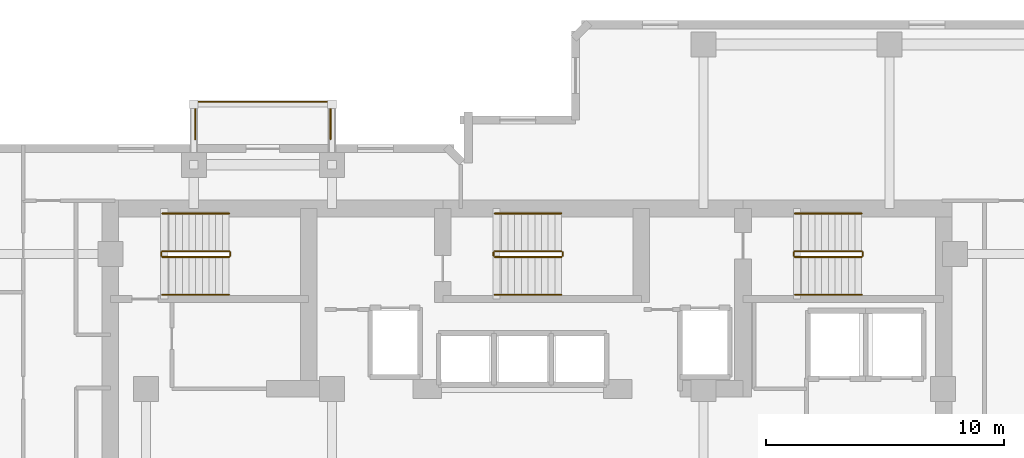
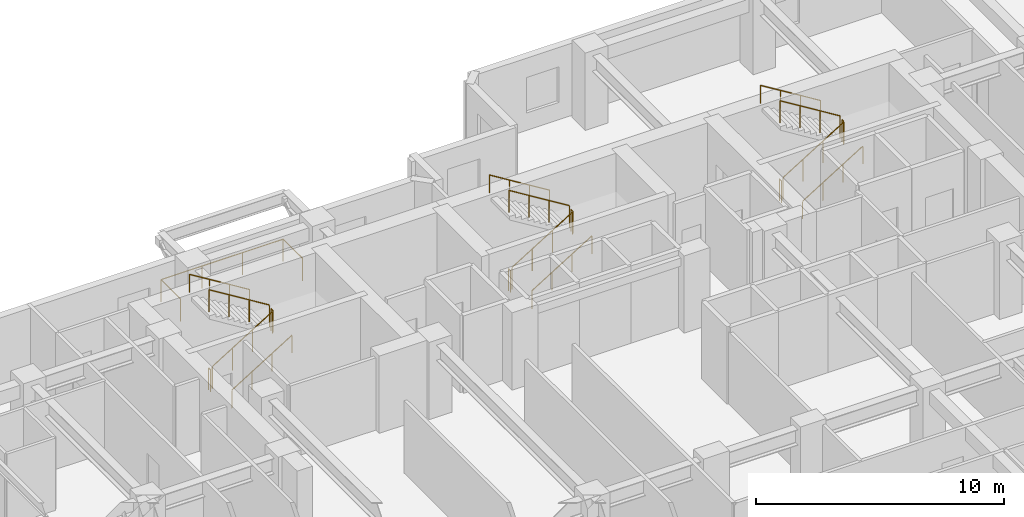
# One storey, part 10 of 10: 19 railings.
"""IFC4 building model written with IfcOpenShell, lengths in metres."""

import ifcopenshell
import ifcopenshell.guid

model = None  # the IFC model being written
_history = None  # IfcOwnerHistory: only IFC2X3 demands one
_inside = {}  # id of a spatial element -> (the spatial element, [elements in it])
_under = {}  # id of a project, library or spatial element -> (it, [spatial elements below it])
_declared = {}  # id of a project -> (the project, [libraries it declares])
_typed = {}  # id of a type object -> (the type object, [elements of that type])
_made_of = {}  # id of a material, layer set ... -> (it, [elements and type objects made of it])


def new_model(schema):
    """Start an empty IFC model of exactly this schema.

    Asked for "IFC4X3", IfcOpenShell would pick the latest addendum, in which some entities
    have other attributes; the version numbers below select the first issue.
    IFC2X3 requires an IfcOwnerHistory on every rooted entity: one is made here for all.
    """
    global model, _history
    if schema == "IFC4X3":
        model = ifcopenshell.file(schema_version=(4, 3, 0, 0))
    else:
        model = ifcopenshell.file(schema=schema)
    _inside.clear()
    _under.clear()
    _declared.clear()
    _typed.clear()
    _made_of.clear()
    _history = None
    if model.schema == "IFC2X3":
        org = make("IfcOrganization", Name="unknown")
        user = make(
            "IfcPersonAndOrganization",
            ThePerson=make("IfcPerson", FamilyName="unknown"),
            TheOrganization=org,
        )
        app = make(
            "IfcApplication",
            ApplicationDeveloper=org,
            Version="unknown",
            ApplicationFullName="unknown",
            ApplicationIdentifier="unknown",
        )
        _history = make(
            "IfcOwnerHistory",
            OwningUser=user,
            OwningApplication=app,
            ChangeAction="ADDED",
            CreationDate=0,
        )
    return model


def make(cls, **values):
    """One entity of the class cls with the attributes given. An attribute that is None is left unset."""
    return model.create_entity(
        cls, **{name: value for name, value in values.items() if value is not None}
    )


def rooted(cls, **values):
    """An entity with a GlobalId (a new one), such as an element, a storey or a relation."""
    return make(cls, GlobalId=ifcopenshell.guid.new(), OwnerHistory=_history, **values)


def si_unit(unit_type, name, prefix=None):
    """IfcSIUnit, for example si_unit("LENGTHUNIT", "METRE", prefix="MILLI")."""
    return make("IfcSIUnit", UnitType=unit_type, Prefix=prefix, Name=name)


def assignment(units):
    """IfcUnitAssignment: the units of a project."""
    return None if units is None else make("IfcUnitAssignment", Units=units)


def point(xyz):
    """IfcCartesianPoint."""
    return None if xyz is None else make("IfcCartesianPoint", Coordinates=xyz)


def direction(xyz):
    """IfcDirection."""
    return None if xyz is None else make("IfcDirection", DirectionRatios=xyz)


def frame(location, z_axis=None, x_axis=None):
    """IfcAxis2Placement3D, a coordinate frame: its origin and axes. An axis left out is left unset."""
    return make(
        "IfcAxis2Placement3D",
        Location=point(location),
        Axis=direction(z_axis),
        RefDirection=direction(x_axis),
    )


def frame_2d(location, x_axis=None):
    """IfcAxis2Placement2D, a coordinate frame in the plane: its origin and x axis."""
    return make(
        "IfcAxis2Placement2D", Location=point(location), RefDirection=direction(x_axis)
    )


def origin():
    """The frame at (0, 0, 0) with its axes left unset."""
    return frame((0.0, 0.0, 0.0))


def origin_2d():
    """The frame at (0, 0) in the plane with its x axis left unset."""
    return frame_2d((0.0, 0.0))


def place(relative_to, where):
    """IfcLocalPlacement: puts the frame where relative to a parent placement (None: the world)."""
    return make(
        "IfcLocalPlacement", PlacementRelTo=relative_to, RelativePlacement=where
    )


def context(
    kind, dimensions, precision=None, world=None, true_north=None, identifier=None
):
    """IfcGeometricRepresentationContext, for example the 3D "Model" context."""
    return make(
        "IfcGeometricRepresentationContext",
        ContextIdentifier=identifier,
        ContextType=kind,
        CoordinateSpaceDimension=dimensions,
        Precision=precision,
        WorldCoordinateSystem=world,
        TrueNorth=true_north,
    )


def subcontext(parent, identifier, kind, view, scale=None):
    """IfcGeometricRepresentationSubContext, for example "Body" below "Model"."""
    return make(
        "IfcGeometricRepresentationSubContext",
        ContextIdentifier=identifier,
        ContextType=kind,
        ParentContext=parent,
        TargetScale=scale,
        TargetView=view,
    )


def project(units=None, contexts=None):
    """IfcProject with its units and contexts."""
    return rooted(
        "IfcProject",
        Name="project",
        RepresentationContexts=contexts,
        UnitsInContext=assignment(units),
    )


def spatial(cls, under=None, at=None, **own):
    """A site, building, storey or space (cls), placed at a placement, below another one or the project."""
    s = rooted(cls, ObjectPlacement=at, **own)
    if under is not None:
        _under.setdefault(under.id(), (under, []))[1].append(s)
    return s


def profile(cls, at=None, kind="AREA", **sizes):
    """A parametric profile (cls). Its sizes go by their IFC names, for example OverallWidth=200.0."""
    return make(cls, ProfileType=kind, Position=at, **sizes)


def circle(**sizes):
    """IfcCircleProfileDef."""
    return profile("IfcCircleProfileDef", **sizes)


def extrude(swept, where, along, depth):
    """IfcExtrudedAreaSolid: the profile swept, set in the frame where, extruded along a direction by depth."""
    return make(
        "IfcExtrudedAreaSolid",
        SweptArea=swept,
        Position=where,
        ExtrudedDirection=direction(along),
        Depth=depth,
    )


def shape(context_of_items, identifier, shape_type, items):
    """IfcShapeRepresentation: the items that make up one representation, for example the "Body"."""
    return make(
        "IfcShapeRepresentation",
        ContextOfItems=context_of_items,
        RepresentationIdentifier=identifier,
        RepresentationType=shape_type,
        Items=items,
    )


def material(Name=None, Category=None):
    """IfcMaterial."""
    return make("IfcMaterial", Name=Name, Category=Category)


def made_of(thing, what):
    """Note that an element or type object is made of a material, layer set ...; save() writes the relation."""
    if what is not None:
        _made_of.setdefault(what.id(), (what, []))[1].append(thing)
    return thing


def type_object(cls, material=None, **own):
    """A type object (cls), such as IfcWallType, which elements share."""
    return made_of(rooted(cls, **own), material)


def element(
    cls,
    number,
    at=None,
    inside=None,
    cuts=None,
    type_object=None,
    material=None,
    context=None,
    identifier="Body",
    shape_type=None,
    held_by="IfcProductDefinitionShape",
    body=None,
    shapes=None,
    **own,
):
    """One element of the class cls, such as IfcWall. Its Tag is "e" and its number.

    at: its placement. inside: the storey or other place that contains it. cuts: it is an
    opening in that element (IfcRelVoidsElement). A single representation is given by context,
    identifier, shape_type and body (its items); several are given by shapes. held_by: the class
    of the entity that holds the representations. save() writes the other relations.
    """
    e = rooted(cls, Tag="e%d" % number, ObjectPlacement=at, **own)
    if body is not None:
        shapes = [shape(context, identifier, shape_type, body)]
    if shapes is not None:
        e.Representation = make(held_by, Representations=shapes)
    if inside is not None:
        _inside.setdefault(inside.id(), (inside, []))[1].append(e)
    if cuts is not None:
        rooted(
            "IfcRelVoidsElement", RelatingBuildingElement=cuts, RelatedOpeningElement=e
        )
    if type_object is not None:
        _typed.setdefault(type_object.id(), (type_object, []))[1].append(e)
    return made_of(e, material)


def aggregate(whole, parts):
    """IfcRelAggregates: a whole, such as a stair, and the parts it consists of."""
    return rooted("IfcRelAggregates", RelatingObject=whole, RelatedObjects=parts)


def save(model, path):
    """Write the relations noted so far, then the file.

    IfcRelAggregates (storeys below a building ...), IfcRelContainedInSpatialStructure (elements
    in a storey), IfcRelDefinesByType, IfcRelAssociatesMaterial and IfcRelDeclares: one each for
    every whole, place, type object, material and project.
    """
    for whole, parts in _under.values():
        aggregate(whole, parts)
    for where, things in _inside.values():
        rooted(
            "IfcRelContainedInSpatialStructure",
            RelatedElements=things,
            RelatingStructure=where,
        )
    for kind, things in _typed.values():
        rooted("IfcRelDefinesByType", RelatedObjects=things, RelatingType=kind)
    for what, things in _made_of.values():
        rooted("IfcRelAssociatesMaterial", RelatedObjects=things, RelatingMaterial=what)
    for by, libraries in _declared.values():
        rooted("IfcRelDeclares", RelatingContext=by, RelatedDefinitions=libraries)
    model.write(path)


model = new_model("IFC4")

# Units and contexts
model_context = context("Model", 3, precision=1e-05, world=origin(), true_north=direction((0.0, 1.0)))
body_context = subcontext(model_context, "Body", "Model", "MODEL_VIEW")
ifc_project = project(units=[si_unit("LENGTHUNIT", "METRE"), si_unit("AREAUNIT", "SQUARE_METRE"), si_unit("VOLUMEUNIT", "CUBIC_METRE"), si_unit("PLANEANGLEUNIT", "RADIAN"), si_unit("MASSUNIT", "GRAM", prefix="KILO")], contexts=[model_context])

# Site, building, storey
site_placement = place(None, origin())
site = spatial("IfcSite", under=ifc_project, at=site_placement, CompositionType="ELEMENT")
building_placement = place(site_placement, origin())
building = spatial("IfcBuilding", under=site, at=building_placement, Name="Kestravale Grand Hotel", CompositionType="ELEMENT")
storey_placement = place(building_placement, frame((0.0, 0.0, 142.199951171875)))
storey = spatial("IfcBuildingStorey", under=building, at=storey_placement, Name="L35", CompositionType="ELEMENT", Elevation=142.199951171875)

# Railings
ifc_material_1 = material(Name="Champagne-bronze stainless steel and laminated glass guard", Category="steel")
railing_type_1 = type_object("IfcRailingType", Name="RL-EXT-1100", PredefinedType="GUARDRAIL", material=ifc_material_1)
railing_1_placement = place(storey_placement, frame((25.4599609375, 43.219970703125, 0.0)))
element("IfcRailing", 1, at=railing_1_placement, inside=storey, type_object=railing_type_1, Name="L35 outdoor terrace guard 1", PredefinedType="GUARDRAIL", context=body_context, shape_type="SweptSolid", body=[
    extrude(circle(Radius=0.02392578125, at=origin_2d()), frame((0.0, 0.0, 1.09619140625), z_axis=(0.0, 1.0, 0.0), x_axis=(-1.0, 0.0, 0.0)), (0.0, 0.0, 1.0), 1.570068359375),
    extrude(circle(Radius=0.02392578125, at=origin_2d()), frame((0.0, 1.570068359375, 1.09619140625), z_axis=(1.0, 0.0, 0.0), x_axis=(0.0, 1.0, 0.0)), (0.0, 0.0, 1.0), 5.679931640625),
    extrude(circle(Radius=0.02392578125, at=origin_2d()), frame((5.679931640625, 1.570068359375, 1.09619140625), z_axis=(0.0, -1.0, 0.0), x_axis=(1.0, 0.0, 0.0)), (0.0, 0.0, 1.0), 1.570068359375),
    extrude(circle(Radius=0.02099609375, at=origin_2d()), origin(), (0.0, 0.0, 1.0), 1.072021484375),
    extrude(circle(Radius=0.02099609375, at=origin_2d()), frame((0.0, 1.570068359375, 0.0)), (0.0, 0.0, 1.0), 1.072021484375),
    extrude(circle(Radius=0.02099609375, at=origin_2d()), frame((1.893310546875, 1.570068359375, 0.0)), (0.0, 0.0, 1.0), 1.072021484375),
    extrude(circle(Radius=0.02099609375, at=origin_2d()), frame((3.78662109375, 1.570068359375, 0.0)), (0.0, 0.0, 1.0), 1.072021484375),
    extrude(circle(Radius=0.02099609375, at=origin_2d()), frame((5.679931640625, 1.570068359375, 0.0)), (0.0, 0.0, 1.0), 1.072021484375),
    extrude(circle(Radius=0.02099609375, at=origin_2d()), frame((5.679931640625, 0.0, 0.0)), (0.0, 0.0, 1.0), 1.072021484375),
])
ifc_material_2 = material(Name="Painted tubular steel stair well guard", Category="steel")
railing_type_2 = type_object("IfcRailingType", Name="RL-ST-GRD1100", PredefinedType="GUARDRAIL", material=ifc_material_2)
railing_2_placement = place(storey_placement, frame((24.080078125, 38.280029296875, 0.1728515625)))
element("IfcRailing", 2, at=railing_2_placement, inside=storey, type_object=railing_type_2, Name="L35 ST-1 stair guard 1", PredefinedType="GUARDRAIL", context=body_context, shape_type="SweptSolid", body=[
    extrude(circle(Radius=0.02392578125, at=origin_2d()), frame((0.0, 0.0, 1.076171875), z_axis=(0.851069175582, 0.0, 0.525053576669), x_axis=(0.0, 1.0, 0.0)), (0.0, 0.0, 1.0), 3.289794921875),
    extrude(circle(Radius=0.02099609375, at=origin_2d()), origin(), (0.0, 0.0, 1.0), 1.052001953125),
    extrude(circle(Radius=0.02099609375, at=origin_2d()), frame((0.933349609375, 0.0, 0.57568359375)), (0.0, 0.0, 1.0), 1.052001953125),
    extrude(circle(Radius=0.02099609375, at=origin_2d()), frame((1.866455078125, 0.0, 1.151611328125)), (0.0, 0.0, 1.0), 1.052001953125),
    extrude(circle(Radius=0.02099609375, at=origin_2d()), frame((2.7998046875, 0.0, 1.727294921875)), (0.0, 0.0, 1.0), 1.052001953125),
])
railing_3_placement = place(storey_placement, frame((26.929931640625, 38.330078125, 1.900146484375)))
element("IfcRailing", 3, at=railing_3_placement, inside=storey, type_object=railing_type_2, Name="L35 ST-1 stair guard 2", PredefinedType="GUARDRAIL", context=body_context, shape_type="SweptSolid", body=[
    extrude(circle(Radius=0.02392578125, at=origin_2d()), frame((0.0, 0.0, 1.076171875), z_axis=(0.0, 1.0, 0.0), x_axis=(-1.0, 0.0, 0.0)), (0.0, 0.0, 1.0), 0.14990234375),
    extrude(circle(Radius=0.02099609375, at=origin_2d()), origin(), (0.0, 0.0, 1.0), 1.052001953125),
    extrude(circle(Radius=0.02099609375, at=origin_2d()), frame((0.0, 0.14990234375, 0.0)), (0.0, 0.0, 1.0), 1.052001953125),
])
railing_4_placement = place(storey_placement, frame((26.8798828125, 38.530029296875, 2.07275390625)))
element("IfcRailing", 4, at=railing_4_placement, inside=storey, type_object=railing_type_2, Name="L35 ST-1 stair guard 3", PredefinedType="GUARDRAIL", context=body_context, shape_type="SweptSolid", body=[
    extrude(circle(Radius=0.02392578125, at=origin_2d()), frame((0.0, 0.0, 1.076171875), z_axis=(-0.851069175582, 0.0, 0.525053576669), x_axis=(0.0, -1.0, 0.0)), (0.0, 0.0, 1.0), 3.289794921875),
    extrude(circle(Radius=0.02099609375, at=origin_2d()), origin(), (0.0, 0.0, 1.0), 1.052001953125),
    extrude(circle(Radius=0.02099609375, at=origin_2d()), frame((-0.933349609375, 0.0, 0.57568359375)), (0.0, 0.0, 1.0), 1.052001953125),
    extrude(circle(Radius=0.02099609375, at=origin_2d()), frame((-1.866455078125, 0.0, 1.151611328125)), (0.0, 0.0, 1.0), 1.052001953125),
    extrude(circle(Radius=0.02099609375, at=origin_2d()), frame((-2.7998046875, 0.0, 1.727294921875)), (0.0, 0.0, 1.0), 1.052001953125),
])
railing_5_placement = place(storey_placement, frame((24.030029296875, 38.330078125, 0.0)))
element("IfcRailing", 5, at=railing_5_placement, inside=storey, type_object=railing_type_2, Name="L35 ST-1 stair guard 4", PredefinedType="GUARDRAIL", context=body_context, shape_type="SweptSolid", body=[
    extrude(circle(Radius=0.02392578125, at=origin_2d()), frame((0.0, 0.0, 1.076171875), z_axis=(0.0, 1.0, 0.0), x_axis=(-1.0, 0.0, 0.0)), (0.0, 0.0, 1.0), 0.14990234375),
    extrude(circle(Radius=0.02099609375, at=origin_2d()), origin(), (0.0, 0.0, 1.0), 1.052001953125),
    extrude(circle(Radius=0.02099609375, at=origin_2d()), frame((0.0, 0.14990234375, 0.0)), (0.0, 0.0, 1.0), 1.052001953125),
])
railing_6_placement = place(storey_placement, frame((38.030029296875, 38.280029296875, 0.1728515625)))
element("IfcRailing", 6, at=railing_6_placement, inside=storey, type_object=railing_type_2, Name="L35 ST-2 stair guard 1", PredefinedType="GUARDRAIL", context=body_context, shape_type="SweptSolid", body=[
    extrude(circle(Radius=0.02392578125, at=origin_2d()), frame((0.0, 0.0, 1.076171875), z_axis=(0.851089632645, 0.0, 0.525020415988), x_axis=(0.0, 1.0, 0.0)), (0.0, 0.0, 1.0), 3.2900390625),
    extrude(circle(Radius=0.02099609375, at=origin_2d()), origin(), (0.0, 0.0, 1.0), 1.052001953125),
    extrude(circle(Radius=0.02099609375, at=origin_2d()), frame((0.933349609375, 0.0, 0.57568359375)), (0.0, 0.0, 1.0), 1.052001953125),
    extrude(circle(Radius=0.02099609375, at=origin_2d()), frame((1.86669921875, 0.0, 1.151611328125)), (0.0, 0.0, 1.0), 1.052001953125),
    extrude(circle(Radius=0.02099609375, at=origin_2d()), frame((2.800048828125, 0.0, 1.727294921875)), (0.0, 0.0, 1.0), 1.052001953125),
])
railing_7_placement = place(storey_placement, frame((40.8798828125, 38.330078125, 1.900146484375)))
element("IfcRailing", 7, at=railing_7_placement, inside=storey, type_object=railing_type_2, Name="L35 ST-2 stair guard 2", PredefinedType="GUARDRAIL", context=body_context, shape_type="SweptSolid", body=[
    extrude(circle(Radius=0.02392578125, at=origin_2d()), frame((0.0, 0.0, 1.076171875), z_axis=(0.0, 1.0, 0.0), x_axis=(-1.0, 0.0, 0.0)), (0.0, 0.0, 1.0), 0.14990234375),
    extrude(circle(Radius=0.02099609375, at=origin_2d()), origin(), (0.0, 0.0, 1.0), 1.052001953125),
    extrude(circle(Radius=0.02099609375, at=origin_2d()), frame((0.0, 0.14990234375, 0.0)), (0.0, 0.0, 1.0), 1.052001953125),
])
railing_8_placement = place(storey_placement, frame((40.830078125, 38.530029296875, 2.07275390625)))
element("IfcRailing", 8, at=railing_8_placement, inside=storey, type_object=railing_type_2, Name="L35 ST-2 stair guard 3", PredefinedType="GUARDRAIL", context=body_context, shape_type="SweptSolid", body=[
    extrude(circle(Radius=0.02392578125, at=origin_2d()), frame((0.0, 0.0, 1.076171875), z_axis=(-0.851089632645, 0.0, 0.525020415988), x_axis=(0.0, -1.0, 0.0)), (0.0, 0.0, 1.0), 3.2900390625),
    extrude(circle(Radius=0.02099609375, at=origin_2d()), origin(), (0.0, 0.0, 1.0), 1.052001953125),
    extrude(circle(Radius=0.02099609375, at=origin_2d()), frame((-0.933349609375, 0.0, 0.57568359375)), (0.0, 0.0, 1.0), 1.052001953125),
    extrude(circle(Radius=0.02099609375, at=origin_2d()), frame((-1.86669921875, 0.0, 1.151611328125)), (0.0, 0.0, 1.0), 1.052001953125),
    extrude(circle(Radius=0.02099609375, at=origin_2d()), frame((-2.800048828125, 0.0, 1.727294921875)), (0.0, 0.0, 1.0), 1.052001953125),
])
railing_9_placement = place(storey_placement, frame((37.97998046875, 38.330078125, 0.0)))
element("IfcRailing", 9, at=railing_9_placement, inside=storey, type_object=railing_type_2, Name="L35 ST-2 stair guard 4", PredefinedType="GUARDRAIL", context=body_context, shape_type="SweptSolid", body=[
    extrude(circle(Radius=0.02392578125, at=origin_2d()), frame((0.0, 0.0, 1.076171875), z_axis=(0.0, 1.0, 0.0), x_axis=(-1.0, 0.0, 0.0)), (0.0, 0.0, 1.0), 0.14990234375),
    extrude(circle(Radius=0.02099609375, at=origin_2d()), origin(), (0.0, 0.0, 1.0), 1.052001953125),
    extrude(circle(Radius=0.02099609375, at=origin_2d()), frame((0.0, 0.14990234375, 0.0)), (0.0, 0.0, 1.0), 1.052001953125),
])
railing_10_placement = place(storey_placement, frame((50.6298828125, 38.280029296875, 0.1728515625)))
element("IfcRailing", 10, at=railing_10_placement, inside=storey, type_object=railing_type_2, Name="L35 ST-3 stair guard 1", PredefinedType="GUARDRAIL", context=body_context, shape_type="SweptSolid", body=[
    extrude(circle(Radius=0.02392578125, at=origin_2d()), frame((0.0, 0.0, 1.076171875), z_axis=(0.851089632645, 0.0, 0.525020415988), x_axis=(0.0, 1.0, 0.0)), (0.0, 0.0, 1.0), 3.2900390625),
    extrude(circle(Radius=0.02099609375, at=origin_2d()), origin(), (0.0, 0.0, 1.0), 1.052001953125),
    extrude(circle(Radius=0.02099609375, at=origin_2d()), frame((0.933349609375, 0.0, 0.57568359375)), (0.0, 0.0, 1.0), 1.052001953125),
    extrude(circle(Radius=0.02099609375, at=origin_2d()), frame((1.86669921875, 0.0, 1.151611328125)), (0.0, 0.0, 1.0), 1.052001953125),
    extrude(circle(Radius=0.02099609375, at=origin_2d()), frame((2.800048828125, 0.0, 1.727294921875)), (0.0, 0.0, 1.0), 1.052001953125),
])
railing_11_placement = place(storey_placement, frame((53.47998046875, 38.330078125, 1.900146484375)))
element("IfcRailing", 11, at=railing_11_placement, inside=storey, type_object=railing_type_2, Name="L35 ST-3 stair guard 2", PredefinedType="GUARDRAIL", context=body_context, shape_type="SweptSolid", body=[
    extrude(circle(Radius=0.02392578125, at=origin_2d()), frame((0.0, 0.0, 1.076171875), z_axis=(0.0, 1.0, 0.0), x_axis=(-1.0, 0.0, 0.0)), (0.0, 0.0, 1.0), 0.14990234375),
    extrude(circle(Radius=0.02099609375, at=origin_2d()), origin(), (0.0, 0.0, 1.0), 1.052001953125),
    extrude(circle(Radius=0.02099609375, at=origin_2d()), frame((0.0, 0.14990234375, 0.0)), (0.0, 0.0, 1.0), 1.052001953125),
])
railing_12_placement = place(storey_placement, frame((53.429931640625, 38.530029296875, 2.07275390625)))
element("IfcRailing", 12, at=railing_12_placement, inside=storey, type_object=railing_type_2, Name="L35 ST-3 stair guard 3", PredefinedType="GUARDRAIL", context=body_context, shape_type="SweptSolid", body=[
    extrude(circle(Radius=0.02392578125, at=origin_2d()), frame((0.0, 0.0, 1.076171875), z_axis=(-0.851089632645, 0.0, 0.525020415988), x_axis=(0.0, -1.0, 0.0)), (0.0, 0.0, 1.0), 3.2900390625),
    extrude(circle(Radius=0.02099609375, at=origin_2d()), origin(), (0.0, 0.0, 1.0), 1.052001953125),
    extrude(circle(Radius=0.02099609375, at=origin_2d()), frame((-0.933349609375, 0.0, 0.57568359375)), (0.0, 0.0, 1.0), 1.052001953125),
    extrude(circle(Radius=0.02099609375, at=origin_2d()), frame((-1.86669921875, 0.0, 1.151611328125)), (0.0, 0.0, 1.0), 1.052001953125),
    extrude(circle(Radius=0.02099609375, at=origin_2d()), frame((-2.800048828125, 0.0, 1.727294921875)), (0.0, 0.0, 1.0), 1.052001953125),
])
railing_13_placement = place(storey_placement, frame((50.580078125, 38.330078125, 0.0)))
element("IfcRailing", 13, at=railing_13_placement, inside=storey, type_object=railing_type_2, Name="L35 ST-3 stair guard 4", PredefinedType="GUARDRAIL", context=body_context, shape_type="SweptSolid", body=[
    extrude(circle(Radius=0.02392578125, at=origin_2d()), frame((0.0, 0.0, 1.076171875), z_axis=(0.0, 1.0, 0.0), x_axis=(-1.0, 0.0, 0.0)), (0.0, 0.0, 1.0), 0.14990234375),
    extrude(circle(Radius=0.02099609375, at=origin_2d()), origin(), (0.0, 0.0, 1.0), 1.052001953125),
    extrude(circle(Radius=0.02099609375, at=origin_2d()), frame((0.0, 0.14990234375, 0.0)), (0.0, 0.0, 1.0), 1.052001953125),
])
ifc_material_3 = material(Name="Brushed stainless steel wall handrail", Category="steel")
railing_type_3 = type_object("IfcRailingType", Name="RL-ST-HND900", PredefinedType="HANDRAIL", material=ifc_material_3)
railing_14_placement = place(storey_placement, frame((24.080078125, 36.699951171875, 0.1728515625)))
element("IfcRailing", 14, at=railing_14_placement, inside=storey, type_object=railing_type_3, Name="L35 ST-1 stair handrail 1", PredefinedType="HANDRAIL", context=body_context, shape_type="SweptSolid", body=[
    extrude(circle(Radius=0.02392578125, at=origin_2d()), frame((0.0, 0.0, 0.8759765625), z_axis=(0.851069175582, 0.0, 0.525053576669), x_axis=(0.0, 1.0, 0.0)), (0.0, 0.0, 1.0), 3.289794921875),
    extrude(circle(Radius=0.02099609375, at=origin_2d()), origin(), (0.0, 0.0, 1.0), 0.851806640625),
    extrude(circle(Radius=0.02099609375, at=origin_2d()), frame((0.933349609375, 0.0, 0.57568359375)), (0.0, 0.0, 1.0), 0.851806640625),
    extrude(circle(Radius=0.02099609375, at=origin_2d()), frame((1.866455078125, 0.0, 1.151611328125)), (0.0, 0.0, 1.0), 0.851806640625),
    extrude(circle(Radius=0.02099609375, at=origin_2d()), frame((2.7998046875, 0.0, 1.727294921875)), (0.0, 0.0, 1.0), 0.851806640625),
])
railing_15_placement = place(storey_placement, frame((26.8798828125, 40.110107421875, 2.07275390625)))
element("IfcRailing", 15, at=railing_15_placement, inside=storey, type_object=railing_type_3, Name="L35 ST-1 stair handrail 2", PredefinedType="HANDRAIL", context=body_context, shape_type="SweptSolid", body=[
    extrude(circle(Radius=0.02392578125, at=origin_2d()), frame((0.0, 0.0, 0.8759765625), z_axis=(-0.851069175582, 0.0, 0.525053576669), x_axis=(0.0, -1.0, 0.0)), (0.0, 0.0, 1.0), 3.289794921875),
    extrude(circle(Radius=0.02099609375, at=origin_2d()), origin(), (0.0, 0.0, 1.0), 0.851806640625),
    extrude(circle(Radius=0.02099609375, at=origin_2d()), frame((-0.933349609375, 0.0, 0.57568359375)), (0.0, 0.0, 1.0), 0.851806640625),
    extrude(circle(Radius=0.02099609375, at=origin_2d()), frame((-1.866455078125, 0.0, 1.151611328125)), (0.0, 0.0, 1.0), 0.851806640625),
    extrude(circle(Radius=0.02099609375, at=origin_2d()), frame((-2.7998046875, 0.0, 1.727294921875)), (0.0, 0.0, 1.0), 0.851806640625),
])
railing_16_placement = place(storey_placement, frame((38.030029296875, 36.699951171875, 0.1728515625)))
element("IfcRailing", 16, at=railing_16_placement, inside=storey, type_object=railing_type_3, Name="L35 ST-2 stair handrail 1", PredefinedType="HANDRAIL", context=body_context, shape_type="SweptSolid", body=[
    extrude(circle(Radius=0.02392578125, at=origin_2d()), frame((0.0, 0.0, 0.8759765625), z_axis=(0.851089632645, 0.0, 0.525020415988), x_axis=(0.0, 1.0, 0.0)), (0.0, 0.0, 1.0), 3.2900390625),
    extrude(circle(Radius=0.02099609375, at=origin_2d()), origin(), (0.0, 0.0, 1.0), 0.851806640625),
    extrude(circle(Radius=0.02099609375, at=origin_2d()), frame((0.933349609375, 0.0, 0.57568359375)), (0.0, 0.0, 1.0), 0.851806640625),
    extrude(circle(Radius=0.02099609375, at=origin_2d()), frame((1.86669921875, 0.0, 1.151611328125)), (0.0, 0.0, 1.0), 0.851806640625),
    extrude(circle(Radius=0.02099609375, at=origin_2d()), frame((2.800048828125, 0.0, 1.727294921875)), (0.0, 0.0, 1.0), 0.851806640625),
])
railing_17_placement = place(storey_placement, frame((40.830078125, 40.110107421875, 2.07275390625)))
element("IfcRailing", 17, at=railing_17_placement, inside=storey, type_object=railing_type_3, Name="L35 ST-2 stair handrail 2", PredefinedType="HANDRAIL", context=body_context, shape_type="SweptSolid", body=[
    extrude(circle(Radius=0.02392578125, at=origin_2d()), frame((0.0, 0.0, 0.8759765625), z_axis=(-0.851089632645, 0.0, 0.525020415988), x_axis=(0.0, -1.0, 0.0)), (0.0, 0.0, 1.0), 3.2900390625),
    extrude(circle(Radius=0.02099609375, at=origin_2d()), origin(), (0.0, 0.0, 1.0), 0.851806640625),
    extrude(circle(Radius=0.02099609375, at=origin_2d()), frame((-0.933349609375, 0.0, 0.57568359375)), (0.0, 0.0, 1.0), 0.851806640625),
    extrude(circle(Radius=0.02099609375, at=origin_2d()), frame((-1.86669921875, 0.0, 1.151611328125)), (0.0, 0.0, 1.0), 0.851806640625),
    extrude(circle(Radius=0.02099609375, at=origin_2d()), frame((-2.800048828125, 0.0, 1.727294921875)), (0.0, 0.0, 1.0), 0.851806640625),
])
railing_18_placement = place(storey_placement, frame((50.6298828125, 36.699951171875, 0.1728515625)))
element("IfcRailing", 18, at=railing_18_placement, inside=storey, type_object=railing_type_3, Name="L35 ST-3 stair handrail 1", PredefinedType="HANDRAIL", context=body_context, shape_type="SweptSolid", body=[
    extrude(circle(Radius=0.02392578125, at=origin_2d()), frame((0.0, 0.0, 0.8759765625), z_axis=(0.851089632645, 0.0, 0.525020415988), x_axis=(0.0, 1.0, 0.0)), (0.0, 0.0, 1.0), 3.2900390625),
    extrude(circle(Radius=0.02099609375, at=origin_2d()), origin(), (0.0, 0.0, 1.0), 0.851806640625),
    extrude(circle(Radius=0.02099609375, at=origin_2d()), frame((0.933349609375, 0.0, 0.57568359375)), (0.0, 0.0, 1.0), 0.851806640625),
    extrude(circle(Radius=0.02099609375, at=origin_2d()), frame((1.86669921875, 0.0, 1.151611328125)), (0.0, 0.0, 1.0), 0.851806640625),
    extrude(circle(Radius=0.02099609375, at=origin_2d()), frame((2.800048828125, 0.0, 1.727294921875)), (0.0, 0.0, 1.0), 0.851806640625),
])
railing_19_placement = place(storey_placement, frame((53.429931640625, 40.110107421875, 2.07275390625)))
element("IfcRailing", 19, at=railing_19_placement, inside=storey, type_object=railing_type_3, Name="L35 ST-3 stair handrail 2", PredefinedType="HANDRAIL", context=body_context, shape_type="SweptSolid", body=[
    extrude(circle(Radius=0.02392578125, at=origin_2d()), frame((0.0, 0.0, 0.8759765625), z_axis=(-0.851089632645, 0.0, 0.525020415988), x_axis=(0.0, -1.0, 0.0)), (0.0, 0.0, 1.0), 3.2900390625),
    extrude(circle(Radius=0.02099609375, at=origin_2d()), origin(), (0.0, 0.0, 1.0), 0.851806640625),
    extrude(circle(Radius=0.02099609375, at=origin_2d()), frame((-0.933349609375, 0.0, 0.57568359375)), (0.0, 0.0, 1.0), 0.851806640625),
    extrude(circle(Radius=0.02099609375, at=origin_2d()), frame((-1.86669921875, 0.0, 1.151611328125)), (0.0, 0.0, 1.0), 0.851806640625),
    extrude(circle(Radius=0.02099609375, at=origin_2d()), frame((-2.800048828125, 0.0, 1.727294921875)), (0.0, 0.0, 1.0), 0.851806640625),
])

save(model, "model.ifc")
